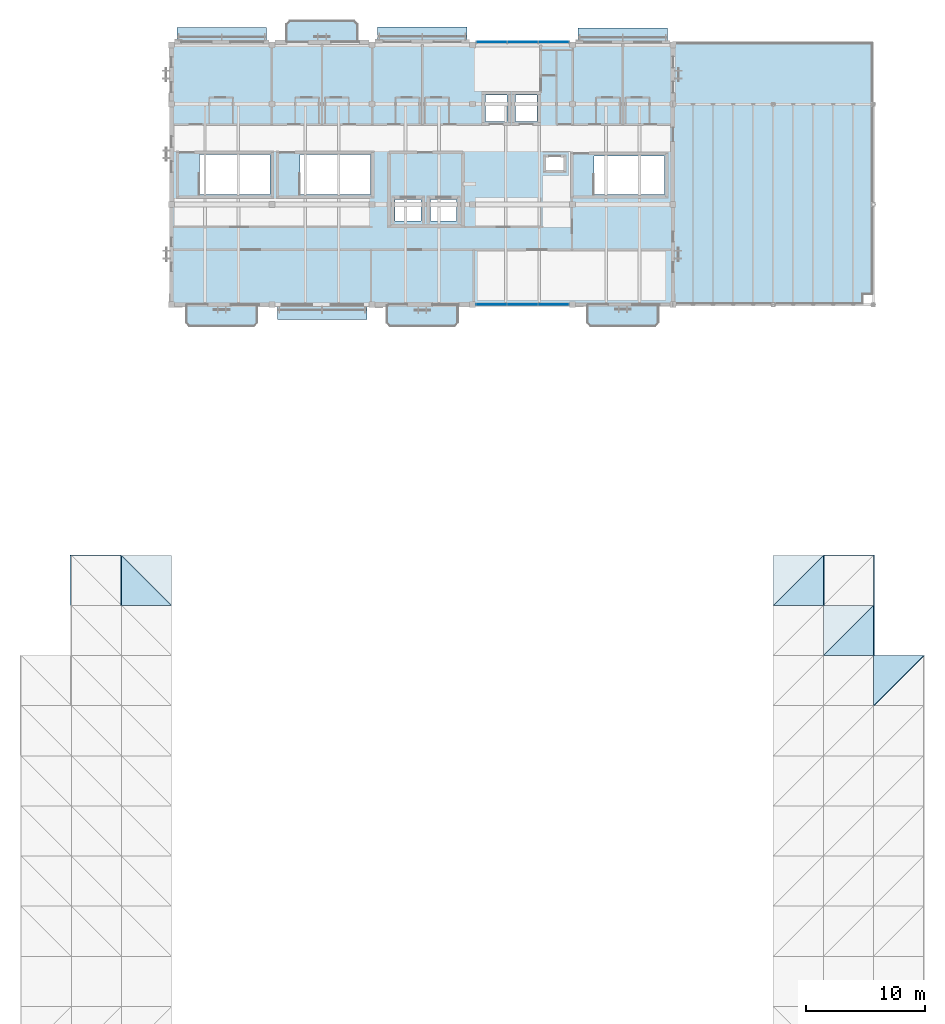
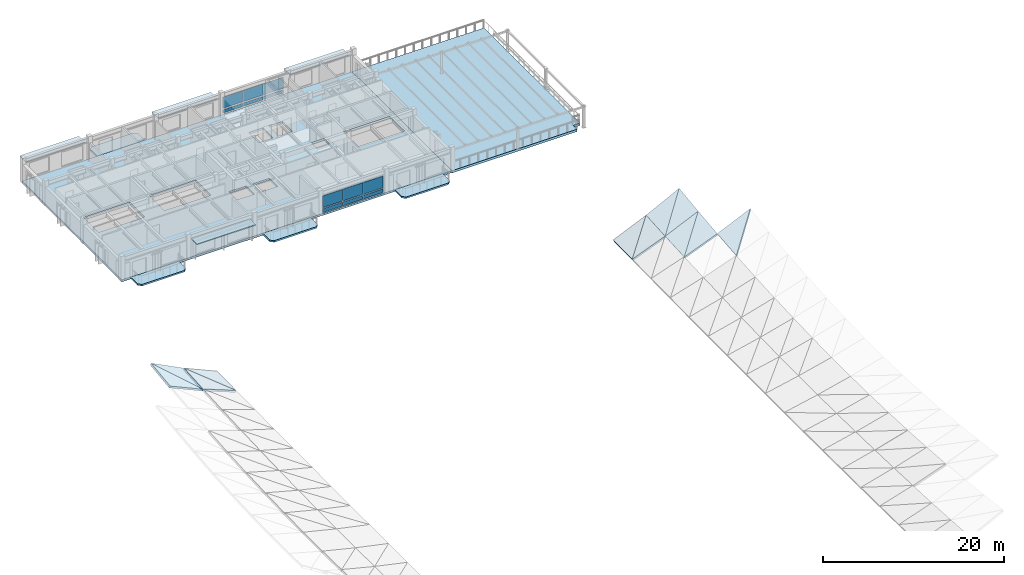
# One storey, part 11 of 24: 17 slabs, 16 plates, 6 elements without a shape of their own.
"""IFC4 building model written with IfcOpenShell, lengths in metres."""

import ifcopenshell
import ifcopenshell.guid

model = None  # the IFC model being written
_history = None  # IfcOwnerHistory: only IFC2X3 demands one
_inside = {}  # id of a spatial element -> (the spatial element, [elements in it])
_under = {}  # id of a project, library or spatial element -> (it, [spatial elements below it])
_declared = {}  # id of a project -> (the project, [libraries it declares])
_typed = {}  # id of a type object -> (the type object, [elements of that type])
_made_of = {}  # id of a material, layer set ... -> (it, [elements and type objects made of it])


def new_model(schema):
    """Start an empty IFC model of exactly this schema.

    Asked for "IFC4X3", IfcOpenShell would pick the latest addendum, in which some entities
    have other attributes; the version numbers below select the first issue.
    IFC2X3 requires an IfcOwnerHistory on every rooted entity: one is made here for all.
    """
    global model, _history
    if schema == "IFC4X3":
        model = ifcopenshell.file(schema_version=(4, 3, 0, 0))
    else:
        model = ifcopenshell.file(schema=schema)
    _inside.clear()
    _under.clear()
    _declared.clear()
    _typed.clear()
    _made_of.clear()
    _history = None
    if model.schema == "IFC2X3":
        org = make("IfcOrganization", Name="unknown")
        user = make(
            "IfcPersonAndOrganization",
            ThePerson=make("IfcPerson", FamilyName="unknown"),
            TheOrganization=org,
        )
        app = make(
            "IfcApplication",
            ApplicationDeveloper=org,
            Version="unknown",
            ApplicationFullName="unknown",
            ApplicationIdentifier="unknown",
        )
        _history = make(
            "IfcOwnerHistory",
            OwningUser=user,
            OwningApplication=app,
            ChangeAction="ADDED",
            CreationDate=0,
        )
    return model


def make(cls, **values):
    """One entity of the class cls with the attributes given. An attribute that is None is left unset."""
    return model.create_entity(
        cls, **{name: value for name, value in values.items() if value is not None}
    )


def rooted(cls, **values):
    """An entity with a GlobalId (a new one), such as an element, a storey or a relation."""
    return make(cls, GlobalId=ifcopenshell.guid.new(), OwnerHistory=_history, **values)


def si_unit(unit_type, name, prefix=None):
    """IfcSIUnit, for example si_unit("LENGTHUNIT", "METRE", prefix="MILLI")."""
    return make("IfcSIUnit", UnitType=unit_type, Prefix=prefix, Name=name)


def assignment(units):
    """IfcUnitAssignment: the units of a project."""
    return None if units is None else make("IfcUnitAssignment", Units=units)


def point(xyz):
    """IfcCartesianPoint."""
    return None if xyz is None else make("IfcCartesianPoint", Coordinates=xyz)


def direction(xyz):
    """IfcDirection."""
    return None if xyz is None else make("IfcDirection", DirectionRatios=xyz)


def frame(location, z_axis=None, x_axis=None):
    """IfcAxis2Placement3D, a coordinate frame: its origin and axes. An axis left out is left unset."""
    return make(
        "IfcAxis2Placement3D",
        Location=point(location),
        Axis=direction(z_axis),
        RefDirection=direction(x_axis),
    )


def frame_2d(location, x_axis=None):
    """IfcAxis2Placement2D, a coordinate frame in the plane: its origin and x axis."""
    return make(
        "IfcAxis2Placement2D", Location=point(location), RefDirection=direction(x_axis)
    )


def origin():
    """The frame at (0, 0, 0) with its axes left unset."""
    return frame((0.0, 0.0, 0.0))


def origin_2d():
    """The frame at (0, 0) in the plane with its x axis left unset."""
    return frame_2d((0.0, 0.0))


def place(relative_to, where):
    """IfcLocalPlacement: puts the frame where relative to a parent placement (None: the world)."""
    return make(
        "IfcLocalPlacement", PlacementRelTo=relative_to, RelativePlacement=where
    )


def context(
    kind, dimensions, precision=None, world=None, true_north=None, identifier=None
):
    """IfcGeometricRepresentationContext, for example the 3D "Model" context."""
    return make(
        "IfcGeometricRepresentationContext",
        ContextIdentifier=identifier,
        ContextType=kind,
        CoordinateSpaceDimension=dimensions,
        Precision=precision,
        WorldCoordinateSystem=world,
        TrueNorth=true_north,
    )


def subcontext(parent, identifier, kind, view, scale=None):
    """IfcGeometricRepresentationSubContext, for example "Body" below "Model"."""
    return make(
        "IfcGeometricRepresentationSubContext",
        ContextIdentifier=identifier,
        ContextType=kind,
        ParentContext=parent,
        TargetScale=scale,
        TargetView=view,
    )


def project(units=None, contexts=None):
    """IfcProject with its units and contexts."""
    return rooted(
        "IfcProject",
        Name="project",
        RepresentationContexts=contexts,
        UnitsInContext=assignment(units),
    )


def spatial(cls, under=None, at=None, **own):
    """A site, building, storey or space (cls), placed at a placement, below another one or the project."""
    s = rooted(cls, ObjectPlacement=at, **own)
    if under is not None:
        _under.setdefault(under.id(), (under, []))[1].append(s)
    return s


def polyline(points):
    """IfcPolyline through the points."""
    return make("IfcPolyline", Points=[point(p) for p in points])


def profile(cls, at=None, kind="AREA", **sizes):
    """A parametric profile (cls). Its sizes go by their IFC names, for example OverallWidth=200.0."""
    return make(cls, ProfileType=kind, Position=at, **sizes)


def rectangle(**sizes):
    """IfcRectangleProfileDef."""
    return profile("IfcRectangleProfileDef", **sizes)


def outline(outer, holes=None, kind="AREA"):
    """IfcArbitraryClosedProfileDef: a profile drawn as a closed curve; with holes, ...WithVoids."""
    if holes is None:
        return make("IfcArbitraryClosedProfileDef", ProfileType=kind, OuterCurve=outer)
    return make(
        "IfcArbitraryProfileDefWithVoids",
        ProfileType=kind,
        OuterCurve=outer,
        InnerCurves=holes,
    )


def extrude(swept, where, along, depth):
    """IfcExtrudedAreaSolid: the profile swept, set in the frame where, extruded along a direction by depth."""
    return make(
        "IfcExtrudedAreaSolid",
        SweptArea=swept,
        Position=where,
        ExtrudedDirection=direction(along),
        Depth=depth,
    )


def shape(context_of_items, identifier, shape_type, items):
    """IfcShapeRepresentation: the items that make up one representation, for example the "Body"."""
    return make(
        "IfcShapeRepresentation",
        ContextOfItems=context_of_items,
        RepresentationIdentifier=identifier,
        RepresentationType=shape_type,
        Items=items,
    )


def material(Name=None, Category=None):
    """IfcMaterial."""
    return make("IfcMaterial", Name=Name, Category=Category)


def layer(
    of_material, thickness, ventilated=None, Name=None, Category=None, Priority=None
):
    """IfcMaterialLayer: one layer of a wall or slab, of a material (None: an air gap)."""
    return make(
        "IfcMaterialLayer",
        Material=of_material,
        LayerThickness=thickness,
        IsVentilated=ventilated,
        Name=Name,
        Category=Category,
        Priority=Priority,
    )


def layer_set(layers, Name=None):
    """IfcMaterialLayerSet."""
    return make("IfcMaterialLayerSet", MaterialLayers=layers, LayerSetName=Name)


def made_of(thing, what):
    """Note that an element or type object is made of a material, layer set ...; save() writes the relation."""
    if what is not None:
        _made_of.setdefault(what.id(), (what, []))[1].append(thing)
    return thing


def type_object(cls, material=None, **own):
    """A type object (cls), such as IfcWallType, which elements share."""
    return made_of(rooted(cls, **own), material)


def element(
    cls,
    number,
    at=None,
    inside=None,
    cuts=None,
    type_object=None,
    material=None,
    context=None,
    identifier="Body",
    shape_type=None,
    held_by="IfcProductDefinitionShape",
    body=None,
    shapes=None,
    **own,
):
    """One element of the class cls, such as IfcWall. Its Tag is "e" and its number.

    at: its placement. inside: the storey or other place that contains it. cuts: it is an
    opening in that element (IfcRelVoidsElement). A single representation is given by context,
    identifier, shape_type and body (its items); several are given by shapes. held_by: the class
    of the entity that holds the representations. save() writes the other relations.
    """
    e = rooted(cls, Tag="e%d" % number, ObjectPlacement=at, **own)
    if body is not None:
        shapes = [shape(context, identifier, shape_type, body)]
    if shapes is not None:
        e.Representation = make(held_by, Representations=shapes)
    if inside is not None:
        _inside.setdefault(inside.id(), (inside, []))[1].append(e)
    if cuts is not None:
        rooted(
            "IfcRelVoidsElement", RelatingBuildingElement=cuts, RelatedOpeningElement=e
        )
    if type_object is not None:
        _typed.setdefault(type_object.id(), (type_object, []))[1].append(e)
    return made_of(e, material)


def aggregate(whole, parts):
    """IfcRelAggregates: a whole, such as a stair, and the parts it consists of."""
    return rooted("IfcRelAggregates", RelatingObject=whole, RelatedObjects=parts)


def save(model, path):
    """Write the relations noted so far, then the file.

    IfcRelAggregates (storeys below a building ...), IfcRelContainedInSpatialStructure (elements
    in a storey), IfcRelDefinesByType, IfcRelAssociatesMaterial and IfcRelDeclares: one each for
    every whole, place, type object, material and project.
    """
    for whole, parts in _under.values():
        aggregate(whole, parts)
    for where, things in _inside.values():
        rooted(
            "IfcRelContainedInSpatialStructure",
            RelatedElements=things,
            RelatingStructure=where,
        )
    for kind, things in _typed.values():
        rooted("IfcRelDefinesByType", RelatedObjects=things, RelatingType=kind)
    for what, things in _made_of.values():
        rooted("IfcRelAssociatesMaterial", RelatedObjects=things, RelatingMaterial=what)
    for by, libraries in _declared.values():
        rooted("IfcRelDeclares", RelatingContext=by, RelatedDefinitions=libraries)
    model.write(path)


model = new_model("IFC4")

# Units and contexts
model_context = context("Model", 3, precision=1e-05, world=origin(), true_north=direction((0.0, 1.0)))
body_context = subcontext(model_context, "Body", "Model", "MODEL_VIEW")
ifc_project = project(units=[si_unit("LENGTHUNIT", "METRE"), si_unit("AREAUNIT", "SQUARE_METRE"), si_unit("VOLUMEUNIT", "CUBIC_METRE"), si_unit("PLANEANGLEUNIT", "RADIAN"), si_unit("MASSUNIT", "GRAM", prefix="KILO")], contexts=[model_context])

# Site, building, storey
site_placement = place(None, origin())
site = spatial("IfcSite", under=ifc_project, at=site_placement, CompositionType="ELEMENT")
building_placement = place(site_placement, origin())
building = spatial("IfcBuilding", under=site, at=building_placement, Name="Cumbredor Promenade Congress Hotel", CompositionType="ELEMENT")
storey_placement = place(building_placement, frame((0.0, 0.0, 35.280029296875)))
storey = spatial("IfcBuildingStorey", under=building, at=storey_placement, Name="L10", CompositionType="ELEMENT", Elevation=35.280029296875)

# Slabs
ifc_material_1 = material(Name="Concrete C40/50", Category="concrete")
ifc_layer_1 = layer(ifc_material_1, 0.215087890625, Name="Concrete C40/50", Category="concrete")
ifc_layer_set_1 = layer_set([ifc_layer_1], Name="Concrete C40/50")
slab_type_1 = type_object("IfcSlabType", Name="Cantilevered Guestroom Balcony Slab 215mm", PredefinedType="FLOOR", material=ifc_layer_set_1)
slab_1_placement = place(storey_placement, frame((0.0, 0.0, -0.215087890625)))
element("IfcSlab", 1, at=slab_1_placement, inside=storey, type_object=slab_type_1, Name="L10 Cantilevered Guestroom Veranda Balcony 060", PredefinedType="FLOOR", context=body_context, shape_type="SweptSolid", body=[
    extrude(outline(polyline([(17.949951171875, 114.39990234375), (24.050048828125, 114.39990234375), (24.050048828125, 115.89990234375), (23.699951171875, 116.25), (18.300048828125, 116.25), (17.949951171875, 115.89990234375), (17.949951171875, 114.39990234375)])), origin(), (0.0, 0.0, 1.0), 0.215087890625),
])
slab_2_placement = place(storey_placement, frame((0.0, 0.0, -0.215087890625)))
element("IfcSlab", 2, at=slab_2_placement, inside=storey, type_object=slab_type_1, Name="L10 Cantilevered Guestroom Veranda Balcony 061", PredefinedType="FLOOR", context=body_context, shape_type="SweptSolid", body=[
    extrude(outline(polyline([(9.89990234375, 90.550048828125), (15.300048828125, 90.550048828125), (15.64990234375, 90.89990234375), (15.64990234375, 92.39990234375), (9.550048828125, 92.39990234375), (9.550048828125, 90.89990234375), (9.89990234375, 90.550048828125)])), origin(), (0.0, 0.0, 1.0), 0.215087890625),
])
slab_3_placement = place(storey_placement, frame((0.0, 0.0, -0.215087890625)))
element("IfcSlab", 3, at=slab_3_placement, inside=storey, type_object=slab_type_1, Name="L10 Cantilevered Guestroom Veranda Balcony 062", PredefinedType="FLOOR", context=body_context, shape_type="SweptSolid", body=[
    extrude(outline(polyline([(26.699951171875, 90.550048828125), (32.10009765625, 90.550048828125), (32.449951171875, 90.89990234375), (32.449951171875, 92.39990234375), (26.35009765625, 92.39990234375), (26.35009765625, 90.89990234375), (26.699951171875, 90.550048828125)])), origin(), (0.0, 0.0, 1.0), 0.215087890625),
])
slab_4_placement = place(storey_placement, frame((0.0, 0.0, -0.215087890625)))
element("IfcSlab", 4, at=slab_4_placement, inside=storey, type_object=slab_type_1, Name="L10 Cantilevered Guestroom Veranda Balcony 063", PredefinedType="FLOOR", context=body_context, shape_type="SweptSolid", body=[
    extrude(outline(polyline([(43.5, 90.550048828125), (48.89990234375, 90.550048828125), (49.25, 90.89990234375), (49.25, 92.39990234375), (43.14990234375, 92.39990234375), (43.14990234375, 90.89990234375), (43.5, 90.550048828125)])), origin(), (0.0, 0.0, 1.0), 0.215087890625),
])
ifc_layer_2 = layer(ifc_material_1, 0.25, Name="Concrete C40/50", Category="concrete")
ifc_layer_set_2 = layer_set([ifc_layer_2], Name="Concrete C40/50")
slab_type_2 = type_object("IfcSlabType", Name="Catenary Space Frame Roof Deck 250mm", PredefinedType="ROOF", material=ifc_layer_set_2)
slab_5_placement = place(storey_placement, frame((0.0, 67.199951171875, 3.949462890625), z_axis=(0.409046691077, -0.115494917277, 0.905174971263), x_axis=(0.911273146381, 0.0, -0.411802443758)))
element("IfcSlab", 5, at=slab_5_placement, inside=storey, type_object=slab_type_2, Name="Plenary Congress Hall Sweeping Roof Deck Facet 2.17.1", PredefinedType="ROOF", context=body_context, shape_type="SweptSolid", body=[
    extrude(outline(polyline([(0.0, 0.0), (4.608882845450502, 0.0), (-0.22068026466025614, 4.228246295518701), (0.0, 0.0)])), origin(), (0.0, 0.0, -1.0), 0.25),
])
slab_6_placement = place(storey_placement, frame((4.199951171875, 67.199951171875, 2.051513671875), z_axis=(0.45453933553, -0.060439938921, 0.888673734415), x_axis=(0.0, 0.997695217775, 0.067854641911)))
element("IfcSlab", 6, at=slab_6_placement, inside=storey, type_object=slab_type_2, Name="Plenary Congress Hall Sweeping Roof Deck Facet 2.17.2", PredefinedType="ROOF", context=body_context, shape_type="SweptSolid", body=[
    extrude(outline(polyline([(0.0, 0.0), (4.209653506450053, 0.0), (4.355418397606259, 4.7151964065034715), (0.0, 0.0)])), origin(), (0.0, 0.0, -1.0), 0.25),
])
slab_7_placement = place(storey_placement, frame((4.199951171875, 67.199951171875, 2.051513671875), z_axis=(0.363923375977, -0.063201773771, 0.929282148871), x_axis=(0.931143719856, 0.0, -0.364652400202)))
element("IfcSlab", 7, at=slab_7_placement, inside=storey, type_object=slab_type_2, Name="Plenary Congress Hall Sweeping Roof Deck Facet 3.17.1", PredefinedType="ROOF", context=body_context, shape_type="SweptSolid", body=[
    extrude(outline(polyline([(0.0, 0.0), (4.510529451377057, 0.0), (-0.10416096392479564, 4.208364663139529), (0.0, 0.0)])), origin(), (0.0, 0.0, -1.0), 0.25),
])
slab_8_placement = place(storey_placement, frame((8.39990234375, 67.199951171875, 0.40673828125), z_axis=(0.405170702715, -0.014984673858, 0.914118242467), x_axis=(0.0, 0.999865670213, 0.016390287682)))
element("IfcSlab", 8, at=slab_8_placement, inside=storey, type_object=slab_type_2, Name="Plenary Congress Hall Sweeping Roof Deck Facet 3.17.2", PredefinedType="ROOF", context=body_context, shape_type="SweptSolid", body=[
    extrude(outline(polyline([(0.0, 0.0), (4.20051542621918, 0.0), (4.231027131194311, 4.593921003036284), (0.0, 0.0)])), origin(), (0.0, 0.0, -1.0), 0.25),
])
slab_9_placement = place(storey_placement, frame((58.800048828125, 67.199951171875, 0.40673828125), z_axis=(-0.363923375977, -0.063201773771, 0.929282148871), x_axis=(0.931143719856, 0.0, 0.364652400202)))
element("IfcSlab", 9, at=slab_9_placement, inside=storey, type_object=slab_type_2, Name="Plenary Congress Hall Sweeping Roof Deck Facet 16.17.1", PredefinedType="ROOF", context=body_context, shape_type="SweptSolid", body=[
    extrude(outline(polyline([(0.0, 0.0), (4.510529451377057, 0.0), (4.614690415301852, 4.208364663139529), (0.0, 0.0)])), origin(), (0.0, 0.0, -1.0), 0.25),
])
slab_10_placement = place(storey_placement, frame((58.800048828125, 67.199951171875, 0.40673828125), z_axis=(-0.405170702715, -0.014984673858, 0.914118242467), x_axis=(0.672481279544, 0.672481279544, 0.309091988453)))
element("IfcSlab", 10, at=slab_10_placement, inside=storey, type_object=slab_type_2, Name="Plenary Congress Hall Sweeping Roof Deck Facet 16.17.2", PredefinedType="ROOF", context=body_context, shape_type="SweptSolid", body=[
    extrude(outline(polyline([(0.0, 0.0), (6.24545440837096, 2.220446049250313e-16), (2.8456687970554406, 3.0897409184865885), (0.0, 0.0)])), origin(), (0.0, 0.0, -1.0), 0.25),
])
slab_11_placement = place(storey_placement, frame((63.0, 63.0, 1.801513671875), z_axis=(-0.369264178227, -0.103080433585, 0.923589947374), x_axis=(0.928536237843, 0.0, 0.371241774335)))
element("IfcSlab", 11, at=slab_11_placement, inside=storey, type_object=slab_type_2, Name="Plenary Congress Hall Sweeping Roof Deck Facet 17.16.1", PredefinedType="ROOF", context=body_context, shape_type="SweptSolid", body=[
    extrude(outline(polyline([(0.0, 0.0), (4.523195757689998, -2.7755575615628914e-17), (4.697215339409594, 4.222444030867942), (0.0, 0.0)])), origin(), (0.0, 0.0, -1.0), 0.25),
])
slab_12_placement = place(storey_placement, frame((63.0, 63.0, 1.801513671875), z_axis=(-0.411197951808, -0.054163455448, 0.909935472725), x_axis=(0.664961689209, 0.664961689209, 0.340076320506)))
element("IfcSlab", 12, at=slab_12_placement, inside=storey, type_object=slab_type_2, Name="Plenary Congress Hall Sweeping Roof Deck Facet 17.16.2", PredefinedType="ROOF", context=body_context, shape_type="SweptSolid", body=[
    extrude(outline(polyline([(0.0, 0.0), (6.316079918636014, -3.3306690738754696e-16), (2.8778257059715933, 3.0692359068965835), (0.0, 0.0)])), origin(), (0.0, 0.0, -1.0), 0.25),
])
slab_13_placement = place(storey_placement, frame((63.0, 67.199951171875, 2.051513671875), z_axis=(-0.409046691077, -0.115494917277, 0.905174971263), x_axis=(0.911273146381, 0.0, 0.411802443758)))
element("IfcSlab", 13, at=slab_13_placement, inside=storey, type_object=slab_type_2, Name="Plenary Congress Hall Sweeping Roof Deck Facet 17.17.1", PredefinedType="ROOF", context=body_context, shape_type="SweptSolid", body=[
    extrude(outline(polyline([(0.0, 0.0), (4.608882845450502, 0.0), (4.829563110110758, 4.228246295518701), (0.0, 0.0)])), origin(), (0.0, 0.0, -1.0), 0.25),
])
slab_14_placement = place(storey_placement, frame((63.0, 67.199951171875, 2.051513671875), z_axis=(-0.45453933553, -0.060439938921, 0.888673734415), x_axis=(0.654306384269, 0.654306384269, 0.379165281915)))
element("IfcSlab", 14, at=slab_14_placement, inside=storey, type_object=slab_type_2, Name="Plenary Congress Hall Sweeping Roof Deck Facet 17.17.2", PredefinedType="ROOF", context=body_context, shape_type="SweptSolid", body=[
    extrude(outline(polyline([(0.0, 0.0), (6.418936560685915, 2.220446049250313e-16), (2.85636135459501, 3.0923102134720217), (0.0, 0.0)])), origin(), (0.0, 0.0, -1.0), 0.25),
])
slab_15_placement = place(storey_placement, frame((67.199951171875, 58.800048828125, 3.078857421875), z_axis=(-0.411167038919, -0.086822443369, 0.907415852536), x_axis=(0.659211245258, 0.659211245258, 0.361774886152)))
element("IfcSlab", 15, at=slab_15_placement, inside=storey, type_object=slab_type_2, Name="Plenary Congress Hall Sweeping Roof Deck Facet 18.15.2", PredefinedType="ROOF", context=body_context, shape_type="SweptSolid", body=[
    extrude(outline(polyline([(0.0, 0.0), (6.37117646594588, 1.6653345369377348e-16), (2.9140362584915356, 3.051142466043683), (0.0, 0.0)])), origin(), (0.0, 0.0, -1.0), 0.25),
])

# Curtain wall, plates
ifc_material_2 = material(Name="Thermally broken anodized aluminium and low-E glass", Category="aluminium")
curtain_wall_type_1 = type_object("IfcCurtainWallType", Name="Unitised Bronze Curtain Wall CW-01", PredefinedType="NOTDEFINED", material=ifc_material_2)
curtain_wall_1_placement = place(storey_placement, origin())
curtain_wall_1 = element("IfcCurtainWall", 16, at=curtain_wall_1_placement, inside=storey, type_object=curtain_wall_type_1, Name="L10 Stepped Congress Hotel Wing South Curtain Wall 4", PredefinedType="NOTDEFINED")
ifc_material_3 = material(Name="Laminated low-E solar-control glass", Category="glass")
ifc_layer_3 = layer(ifc_material_3, 0.031982421875, Name="Laminated low-E solar-control glass", Category="glass")
ifc_layer_set_3 = layer_set([ifc_layer_3], Name="Laminated low-E solar-control glass")
plate_type_1 = type_object("IfcPlateType", Name="Glazed Vision Panel PNL-02", PredefinedType="CURTAIN_PANEL", material=ifc_layer_set_3)
plate_1_placement = place(storey_placement, frame((35.203369140625, 92.39990234375, 0.794921875), z_axis=(0.0, 0.0, 1.0), x_axis=(1.0, 0.0, 0.0)))
plate_1 = element("IfcPlate", 17, at=plate_1_placement, type_object=plate_type_1, Name="L10 Stepped Congress Hotel Wing South Curtain Wall 4 Glazing Panel 1.2", PredefinedType="CURTAIN_PANEL", context=body_context, shape_type="SweptSolid", body=[
    extrude(rectangle(XDim=2.521728515625, YDim=0.031982421875, at=origin_2d()), origin(), (0.0, 0.0, 1.0), 1.570068359375),
])
plate_2_placement = place(storey_placement, frame((37.800048828125, 92.39990234375, 0.794921875), z_axis=(0.0, 0.0, 1.0), x_axis=(1.0, 0.0, 0.0)))
plate_2 = element("IfcPlate", 18, at=plate_2_placement, type_object=plate_type_1, Name="L10 Stepped Congress Hotel Wing South Curtain Wall 4 Glazing Panel 2.2", PredefinedType="CURTAIN_PANEL", context=body_context, shape_type="SweptSolid", body=[
    extrude(rectangle(XDim=2.521484375, YDim=0.031982421875, at=origin_2d()), origin(), (0.0, 0.0, 1.0), 1.570068359375),
])
plate_3_placement = place(storey_placement, frame((40.396728515625, 92.39990234375, 0.794921875), z_axis=(0.0, 0.0, 1.0), x_axis=(1.0, 0.0, 0.0)))
plate_3 = element("IfcPlate", 19, at=plate_3_placement, type_object=plate_type_1, Name="L10 Stepped Congress Hotel Wing South Curtain Wall 4 Glazing Panel 3.2", PredefinedType="CURTAIN_PANEL", context=body_context, shape_type="SweptSolid", body=[
    extrude(rectangle(XDim=2.521728515625, YDim=0.031982421875, at=origin_2d()), origin(), (0.0, 0.0, 1.0), 1.570068359375),
])

curtain_wall_2_placement = place(storey_placement, origin())
curtain_wall_2 = element("IfcCurtainWall", 20, at=curtain_wall_2_placement, inside=storey, type_object=curtain_wall_type_1, Name="L10 Stepped Congress Hotel Wing North Curtain Wall 4", PredefinedType="NOTDEFINED")
ifc_layer_4 = layer(ifc_material_3, 0.028076171875, Name="Laminated low-E solar-control glass", Category="glass")
ifc_layer_set_4 = layer_set([ifc_layer_4], Name="Laminated low-E solar-control glass")
plate_type_2 = type_object("IfcPlateType", Name="Glazed Vision Panel PNL-03", PredefinedType="CURTAIN_PANEL", material=ifc_layer_set_4)
plate_4_placement = place(storey_placement, frame((35.203369140625, 114.39990234375, 0.81005859375), z_axis=(0.0, 0.0, 1.0), x_axis=(1.0, 0.0, 0.0)))
plate_4 = element("IfcPlate", 21, at=plate_4_placement, type_object=plate_type_2, Name="L10 Stepped Congress Hotel Wing North Curtain Wall 4 Glazing Panel 1.2", PredefinedType="CURTAIN_PANEL", context=body_context, shape_type="SweptSolid", body=[
    extrude(rectangle(XDim=2.5166015625, YDim=0.028076171875, at=origin_2d()), origin(), (0.0, 0.0, 1.0), 1.52001953125),
])
plate_5_placement = place(storey_placement, frame((37.800048828125, 114.39990234375, 0.81005859375), z_axis=(0.0, 0.0, 1.0), x_axis=(1.0, 0.0, 0.0)))
plate_5 = element("IfcPlate", 22, at=plate_5_placement, type_object=plate_type_2, Name="L10 Stepped Congress Hotel Wing North Curtain Wall 4 Glazing Panel 2.2", PredefinedType="CURTAIN_PANEL", context=body_context, shape_type="SweptSolid", body=[
    extrude(rectangle(XDim=2.5166015625, YDim=0.028076171875, at=origin_2d()), origin(), (0.0, 0.0, 1.0), 1.52001953125),
])
plate_6_placement = place(storey_placement, frame((40.396728515625, 114.39990234375, 0.81005859375), z_axis=(0.0, 0.0, 1.0), x_axis=(1.0, 0.0, 0.0)))
plate_6 = element("IfcPlate", 23, at=plate_6_placement, type_object=plate_type_2, Name="L10 Stepped Congress Hotel Wing North Curtain Wall 4 Glazing Panel 3.2", PredefinedType="CURTAIN_PANEL", context=body_context, shape_type="SweptSolid", body=[
    extrude(rectangle(XDim=2.5166015625, YDim=0.028076171875, at=origin_2d()), origin(), (0.0, 0.0, 1.0), 1.52001953125),
])

# Curtain wall, plate
curtain_wall_type_2 = type_object("IfcCurtainWallType", Name="Solar Brise-Soleil Screen Assembly CW-07", PredefinedType="NOTDEFINED", material=ifc_material_2)
curtain_wall_3_placement = place(storey_placement, origin())
curtain_wall_3 = element("IfcCurtainWall", 24, at=curtain_wall_3_placement, inside=storey, type_object=curtain_wall_type_2, Name="L10 Hospitality Brise-Soleil Screen 117", PredefinedType="NOTDEFINED")
ifc_material_4 = material(Name="Precast concrete C40/50", Category="concrete")
ifc_layer_5 = layer(ifc_material_4, 0.14501953125, Name="Precast concrete C40/50", Category="concrete")
ifc_layer_set_5 = layer_set([ifc_layer_5], Name="Precast concrete C40/50")
plate_type_3 = type_object("IfcPlateType", Name="Horizontal Precast Sun-Hood Eyebrow Plate 145mm", PredefinedType="USERDEFINED", material=ifc_layer_set_5)
plate_7_placement = place(storey_placement, frame((21.0, 91.820068359375, 2.35400390625), z_axis=(0.0, 0.0, 1.0), x_axis=(1.0, 0.0, 0.0)))
plate_7 = element("IfcPlate", 25, at=plate_7_placement, type_object=plate_type_3, Name="L10 Horizontal Sun-Hood Eyebrow 117", ObjectType="SUN HOOD", PredefinedType="USERDEFINED", context=body_context, shape_type="SweptSolid", body=[
    extrude(rectangle(XDim=7.498046875, YDim=1.320068359375, at=origin_2d()), origin(), (0.0, 0.0, 1.0), 0.14501953125),
])
aggregate(curtain_wall_3, [plate_7])

curtain_wall_4_placement = place(storey_placement, origin())
curtain_wall_4 = element("IfcCurtainWall", 26, at=curtain_wall_4_placement, inside=storey, type_object=curtain_wall_type_2, Name="L10 Hospitality Brise-Soleil Screen 118", PredefinedType="NOTDEFINED")
plate_8_placement = place(storey_placement, frame((12.60009765625, 114.972412109375, 2.35400390625), z_axis=(0.0, 0.0, 1.0), x_axis=(1.0, 0.0, 0.0)))
plate_8 = element("IfcPlate", 27, at=plate_8_placement, type_object=plate_type_3, Name="L10 Horizontal Sun-Hood Eyebrow 118", ObjectType="SUN HOOD", PredefinedType="USERDEFINED", context=body_context, shape_type="SweptSolid", body=[
    extrude(rectangle(XDim=7.498046875, YDim=1.304931640625, at=origin_2d()), origin(), (0.0, 0.0, 1.0), 0.14501953125),
])
aggregate(curtain_wall_4, [plate_8])

curtain_wall_5_placement = place(storey_placement, origin())
curtain_wall_5 = element("IfcCurtainWall", 28, at=curtain_wall_5_placement, inside=storey, type_object=curtain_wall_type_2, Name="L10 Hospitality Brise-Soleil Screen 119", PredefinedType="NOTDEFINED")
plate_9_placement = place(storey_placement, frame((29.39990234375, 114.9912109375, 2.35400390625), z_axis=(0.0, 0.0, 1.0), x_axis=(1.0, 0.0, 0.0)))
plate_9 = element("IfcPlate", 29, at=plate_9_placement, type_object=plate_type_3, Name="L10 Horizontal Sun-Hood Eyebrow 119", ObjectType="SUN HOOD", PredefinedType="USERDEFINED", context=body_context, shape_type="SweptSolid", body=[
    extrude(rectangle(XDim=7.498046875, YDim=1.342529296875, at=origin_2d()), origin(), (0.0, 0.0, 1.0), 0.14501953125),
])
aggregate(curtain_wall_5, [plate_9])

curtain_wall_6_placement = place(storey_placement, origin())
curtain_wall_6 = element("IfcCurtainWall", 30, at=curtain_wall_6_placement, inside=storey, type_object=curtain_wall_type_2, Name="L10 Hospitality Brise-Soleil Screen 120", PredefinedType="NOTDEFINED")
plate_10_placement = place(storey_placement, frame((46.199951171875, 114.949951171875, 2.35400390625), z_axis=(0.0, 0.0, 1.0), x_axis=(1.0, 0.0, 0.0)))
plate_10 = element("IfcPlate", 31, at=plate_10_placement, type_object=plate_type_3, Name="L10 Horizontal Sun-Hood Eyebrow 120", ObjectType="SUN HOOD", PredefinedType="USERDEFINED", context=body_context, shape_type="SweptSolid", body=[
    extrude(rectangle(XDim=7.498046875, YDim=1.260009765625, at=origin_2d()), origin(), (0.0, 0.0, 1.0), 0.14501953125),
])
aggregate(curtain_wall_6, [plate_10])

# Slab
ifc_layer_6 = layer(ifc_material_1, 0.260009765625, Name="Concrete C40/50", Category="concrete")
ifc_layer_set_6 = layer_set([ifc_layer_6], Name="Concrete C40/50")
slab_type_3 = type_object("IfcSlabType", Name="Hotel Crown Floor Slab 260mm", PredefinedType="FLOOR", material=ifc_layer_set_6)
slab_16_placement = place(storey_placement, frame((0.0, 0.0, -0.260009765625)))
element("IfcSlab", 32, at=slab_16_placement, inside=storey, type_object=slab_type_3, Name="L10 Stepped Congress Hotel Wing Floor Slab", PredefinedType="FLOOR", context=body_context, shape_type="SweptSolid", body=[
    extrude(outline(polyline([(8.39990234375, 92.39990234375), (50.39990234375, 92.39990234375), (50.39990234375, 114.39990234375), (8.39990234375, 114.39990234375), (8.39990234375, 92.39990234375)]), holes=[polyline([(10.75, 101.6201171875), (16.64990234375, 101.6201171875), (16.64990234375, 104.969970703125), (10.75, 104.969970703125), (10.75, 101.6201171875)]), polyline([(19.14990234375, 101.6201171875), (25.050048828125, 101.6201171875), (25.050048828125, 104.969970703125), (19.14990234375, 104.969970703125), (19.14990234375, 101.6201171875)]), polyline([(43.800048828125, 101.6201171875), (49.699951171875, 101.6201171875), (49.699951171875, 104.8701171875), (43.800048828125, 104.8701171875), (43.800048828125, 101.6201171875)]), polyline([(27.1298828125, 99.39990234375), (29.300048828125, 99.39990234375), (29.300048828125, 101.199951171875), (27.1298828125, 101.199951171875), (27.1298828125, 99.39990234375)]), polyline([(30.10009765625, 99.39990234375), (32.27001953125, 99.39990234375), (32.27001953125, 101.199951171875), (30.10009765625, 101.199951171875), (30.10009765625, 99.39990234375)]), polyline([(34.699951171875, 107.75), (36.5, 107.75), (36.5, 109.949951171875), (34.699951171875, 109.949951171875), (34.699951171875, 107.75)]), polyline([(37.199951171875, 107.75), (39.0, 107.75), (39.0, 109.949951171875), (37.199951171875, 109.949951171875), (37.199951171875, 107.75)]), polyline([(39.699951171875, 103.60009765625), (41.300048828125, 103.60009765625), (41.300048828125, 104.800048828125), (39.699951171875, 104.800048828125), (39.699951171875, 103.60009765625)])]), origin(), (0.0, 0.0, 1.0), 0.260009765625),
])

# Plate
ifc_material_5 = material(Name="Thermally broken anodized aluminium", Category="aluminium")
ifc_layer_7 = layer(ifc_material_5, 0.0400390625, Name="Thermally broken anodized aluminium", Category="aluminium")
ifc_layer_set_7 = layer_set([ifc_layer_7], Name="Thermally broken anodized aluminium")
plate_type_4 = type_object("IfcPlateType", Name="Insulated Spandrel Panel PNL-05", PredefinedType="CURTAIN_PANEL", material=ifc_layer_set_7)
plate_11_placement = place(storey_placement, frame((35.203369140625, 92.39990234375, 0.15478515625), z_axis=(0.0, 0.0, 1.0), x_axis=(1.0, 0.0, 0.0)))
plate_11 = element("IfcPlate", 33, at=plate_11_placement, type_object=plate_type_4, Name="L10 Stepped Congress Hotel Wing South Curtain Wall 4 Spandrel Panel 1.1", PredefinedType="CURTAIN_PANEL", context=body_context, shape_type="SweptSolid", body=[
    extrude(rectangle(XDim=2.521728515625, YDim=0.0400390625, at=origin_2d()), origin(), (0.0, 0.0, 1.0), 0.489990234375),
])

plate_12_placement = place(storey_placement, frame((37.800048828125, 92.39990234375, 0.15478515625), z_axis=(0.0, 0.0, 1.0), x_axis=(1.0, 0.0, 0.0)))
plate_12 = element("IfcPlate", 34, at=plate_12_placement, type_object=plate_type_4, Name="L10 Stepped Congress Hotel Wing South Curtain Wall 4 Spandrel Panel 2.1", PredefinedType="CURTAIN_PANEL", context=body_context, shape_type="SweptSolid", body=[
    extrude(rectangle(XDim=2.521484375, YDim=0.0400390625, at=origin_2d()), origin(), (0.0, 0.0, 1.0), 0.489990234375),
])

plate_13_placement = place(storey_placement, frame((40.396728515625, 92.39990234375, 0.15478515625), z_axis=(0.0, 0.0, 1.0), x_axis=(1.0, 0.0, 0.0)))
plate_13 = element("IfcPlate", 35, at=plate_13_placement, type_object=plate_type_4, Name="L10 Stepped Congress Hotel Wing South Curtain Wall 4 Spandrel Panel 3.1", PredefinedType="CURTAIN_PANEL", context=body_context, shape_type="SweptSolid", body=[
    extrude(rectangle(XDim=2.521728515625, YDim=0.0400390625, at=origin_2d()), origin(), (0.0, 0.0, 1.0), 0.489990234375),
])

aggregate(curtain_wall_1, [plate_11, plate_1, plate_12, plate_2, plate_13, plate_3])

ifc_layer_8 = layer(ifc_material_5, 0.0400390625, Name="Thermally broken anodized aluminium", Category="aluminium")
ifc_layer_set_8 = layer_set([ifc_layer_8], Name="Thermally broken anodized aluminium")
plate_type_5 = type_object("IfcPlateType", Name="Insulated Spandrel Panel PNL-06", PredefinedType="CURTAIN_PANEL", material=ifc_layer_set_8)
plate_14_placement = place(storey_placement, frame((35.203369140625, 114.39990234375, 0.18017578125), z_axis=(0.0, 0.0, 1.0), x_axis=(1.0, 0.0, 0.0)))
plate_14 = element("IfcPlate", 36, at=plate_14_placement, type_object=plate_type_5, Name="L10 Stepped Congress Hotel Wing North Curtain Wall 4 Spandrel Panel 1.1", PredefinedType="CURTAIN_PANEL", context=body_context, shape_type="SweptSolid", body=[
    extrude(rectangle(XDim=2.5166015625, YDim=0.0400390625, at=origin_2d()), origin(), (0.0, 0.0, 1.0), 0.449951171875),
])

plate_15_placement = place(storey_placement, frame((37.800048828125, 114.39990234375, 0.18017578125), z_axis=(0.0, 0.0, 1.0), x_axis=(1.0, 0.0, 0.0)))
plate_15 = element("IfcPlate", 37, at=plate_15_placement, type_object=plate_type_5, Name="L10 Stepped Congress Hotel Wing North Curtain Wall 4 Spandrel Panel 2.1", PredefinedType="CURTAIN_PANEL", context=body_context, shape_type="SweptSolid", body=[
    extrude(rectangle(XDim=2.5166015625, YDim=0.0400390625, at=origin_2d()), origin(), (0.0, 0.0, 1.0), 0.449951171875),
])

plate_16_placement = place(storey_placement, frame((40.396728515625, 114.39990234375, 0.18017578125), z_axis=(0.0, 0.0, 1.0), x_axis=(1.0, 0.0, 0.0)))
plate_16 = element("IfcPlate", 38, at=plate_16_placement, type_object=plate_type_5, Name="L10 Stepped Congress Hotel Wing North Curtain Wall 4 Spandrel Panel 3.1", PredefinedType="CURTAIN_PANEL", context=body_context, shape_type="SweptSolid", body=[
    extrude(rectangle(XDim=2.5166015625, YDim=0.0400390625, at=origin_2d()), origin(), (0.0, 0.0, 1.0), 0.449951171875),
])

aggregate(curtain_wall_2, [plate_14, plate_4, plate_15, plate_5, plate_16, plate_6])

# Slab
ifc_layer_9 = layer(ifc_material_1, 0.320068359375, Name="Concrete C40/50", Category="concrete")
ifc_layer_set_9 = layer_set([ifc_layer_9], Name="Concrete C40/50")
slab_type_4 = type_object("IfcSlabType", Name="Sky Garden Planted Terrace Slab 320mm", PredefinedType="FLOOR", material=ifc_layer_set_9)
slab_17_placement = place(storey_placement, frame((0.0, 0.0, -0.320068359375)))
element("IfcSlab", 39, at=slab_17_placement, inside=storey, type_object=slab_type_4, Name="L10 Cordillera Crown East Observation Terrace", PredefinedType="FLOOR", context=body_context, shape_type="SweptSolid", body=[
    extrude(outline(polyline([(50.39990234375, 92.39990234375), (66.35009765625, 92.39990234375), (66.35009765625, 93.25), (67.199951171875, 93.25), (67.199951171875, 114.39990234375), (50.39990234375, 114.39990234375), (50.39990234375, 92.39990234375)])), origin(), (0.0, 0.0, 1.0), 0.320068359375),
])

save(model, "model.ifc")
